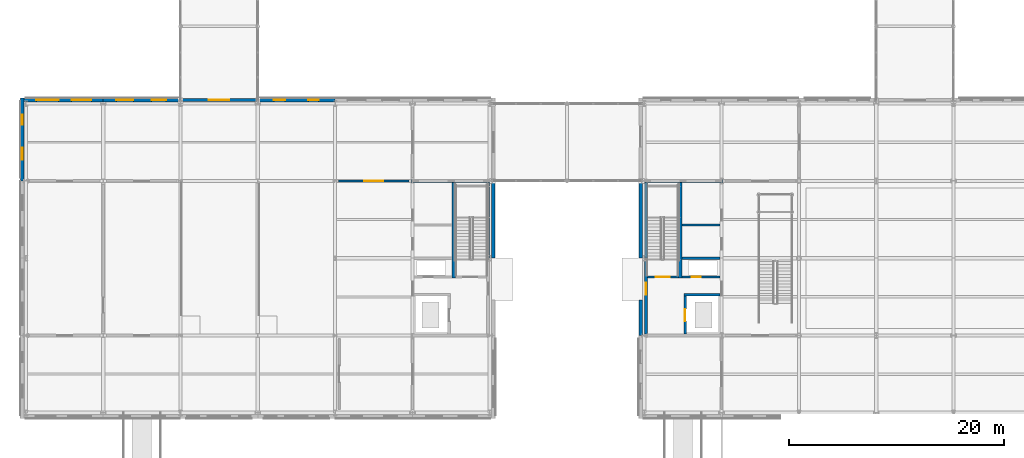
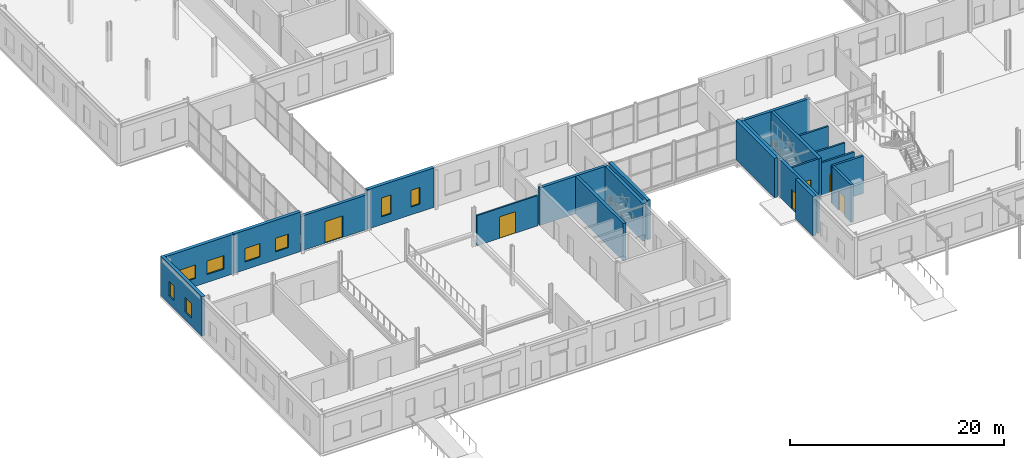
# One storey, part 55 of 92: 22 walls, 8 windows, 6 doors, 14 openings.
"""IFC4 building model written with IfcOpenShell, lengths in metres."""

from ifc_helpers import new_model, si_unit, direction, frame, frame_2d, origin, place, context, subcontext, project, spatial, rectangle, extrude, material, layer, layer_set, type_object, element, fill, save


model = new_model("IFC4")

# Units and contexts
model_context = context("Model", 3, precision=1e-05, world=origin(), true_north=direction((0.0, 1.0)))
body_context = subcontext(model_context, "Body", "Model", "MODEL_VIEW")
ifc_project = project(units=[si_unit("LENGTHUNIT", "METRE"), si_unit("AREAUNIT", "SQUARE_METRE"), si_unit("VOLUMEUNIT", "CUBIC_METRE"), si_unit("PLANEANGLEUNIT", "RADIAN"), si_unit("MASSUNIT", "GRAM", prefix="KILO")], contexts=[model_context])

# Site, building, storey
site_placement = place(None, origin())
site = spatial("IfcSite", under=ifc_project, at=site_placement, CompositionType="ELEMENT")
building_placement = place(site_placement, origin())
building = spatial("IfcBuilding", under=site, at=building_placement, Name="Zlatovets Crest Museum", CompositionType="ELEMENT")
storey_placement = place(building_placement, origin())
storey = spatial("IfcBuildingStorey", under=building, at=storey_placement, Name="L00", CompositionType="ELEMENT", Elevation=0.0)

# Wall
ifc_material_1 = material(Name="Concrete C35/45", Category="concrete")
ifc_layer_1 = layer(ifc_material_1, 0.300048828125)
ifc_layer_set_1 = layer_set([ifc_layer_1], Name="Concrete C35/45")
wall_type_1 = type_object("IfcWallType", Name="CoreWall_SW01", PredefinedType="SHEAR", material=ifc_layer_set_1)
wall_1_placement = place(storey_placement, frame((57.60009765625, 21.60009765625, 0.0), z_axis=(0.0, 0.0, 1.0), x_axis=(1.0, 0.0, 0.0)))
element("IfcWall", 1, at=wall_1_placement, inside=storey, type_object=wall_type_1, Name="Core C2 L00 North Shear Wall", PredefinedType="SHEAR", context=body_context, shape_type="SweptSolid", body=[
    extrude(rectangle(XDim=7.349853515625, YDim=0.300048828125, at=frame_2d((3.6748046875, 0.0))), origin(), (0.0, 0.0, 1.0), 4.280029296875),
])

# Wall, opening, door
wall_2_placement = place(storey_placement, frame((57.75, 7.35009765625, 0.0), z_axis=(0.0, 0.0, 1.0), x_axis=(0.0, 1.0, 0.0)))
wall_2 = element("IfcWall", 2, at=wall_2_placement, inside=storey, type_object=wall_type_1, Name="Core C2 L00 Protected Lobby Exterior Shear Wall", PredefinedType="SHEAR", context=body_context, shape_type="SweptSolid", body=[
    extrude(rectangle(XDim=7.0498046875, YDim=0.300048828125, at=frame_2d((3.52490234375, 0.0))), origin(), (0.0, 0.0, 1.0), 4.280029296875),
])
opening_1_placement = place(wall_2_placement, frame((3.64990234375, 0.0, 0.0)))
opening_1 = element("IfcOpeningElement", 3, at=opening_1_placement, cuts=wall_2, Name="Opening ED-03", PredefinedType="OPENING", context=body_context, shape_type="SweptSolid", body=[
    extrude(rectangle(XDim=1.10009765625, YDim=2.199951171875, at=frame_2d((0.550048828125, 1.10009765625))), frame((0.0, 0.16015625, 0.0), z_axis=(0.0, -1.0, 0.0), x_axis=(1.0, 0.0, 0.0)), (0.0, 0.0, 1.0), 0.320068359375),
])
ifc_material_2 = material(Name="Bronze-clad insulated steel door", Category="steel")
door_type_1 = type_object("IfcDoorType", Name="ExtDoor_ED-03", OperationType="NOTDEFINED", PredefinedType="DOOR", material=ifc_material_2)
door_1_placement = place(opening_1_placement, origin())
door_1 = element("IfcDoor", 4, at=door_1_placement, inside=storey, type_object=door_type_1, Name="ED-ST2-EXIT Stair ST2 Direct Final Exterior Exit Door", OperationType="SINGLE_SWING_LEFT", OverallHeight=2.199951171875, OverallWidth=1.10009765625, PredefinedType="DOOR", context=body_context, shape_type="SweptSolid", body=[
    extrude(rectangle(XDim=1.10009765625, YDim=2.199951171875, at=frame_2d((0.550048828125, 1.10009765625))), frame((0.0, 0.02490234375, 0.0), z_axis=(0.0, -1.0, 0.0), x_axis=(1.0, 0.0, 0.0)), (0.0, 0.0, 1.0), 0.050048828125),
])
fill(opening_1, door_1)

# Walls
wall_3_placement = place(storey_placement, frame((57.75, 14.39990234375, 0.0), z_axis=(0.0, 0.0, 1.0), x_axis=(0.0, 1.0, 0.0)))
element("IfcWall", 5, at=wall_3_placement, inside=storey, type_object=wall_type_1, Name="Core C2 L00 Stairwell Perimeter Shear Wall", PredefinedType="SHEAR", context=body_context, shape_type="SweptSolid", body=[
    extrude(rectangle(XDim=7.050048828125, YDim=0.300048828125, at=frame_2d((3.52490234375, 0.0))), origin(), (0.0, 0.0, 1.0), 4.280029296875),
])
wall_4_placement = place(storey_placement, frame((60.949951171875, 12.5400390625, 0.0), z_axis=(0.0, 0.0, 1.0), x_axis=(0.0, 1.0, 0.0)))
element("IfcWall", 6, at=wall_4_placement, inside=storey, type_object=wall_type_1, Name="Core C2 L00 Stair Divider Wall", PredefinedType="SHEAR", context=body_context, shape_type="SweptSolid", body=[
    extrude(rectangle(XDim=8.909912109375, YDim=0.300048828125, at=frame_2d((4.455078125, 0.0))), origin(), (0.0, 0.0, 1.0), 4.280029296875),
])
wall_5_placement = place(storey_placement, frame((35.85009765625, 21.60009765625, 0.0), z_axis=(0.0, 0.0, 1.0), x_axis=(1.0, 0.0, 0.0)))
element("IfcWall", 7, at=wall_5_placement, inside=storey, type_object=wall_type_1, Name="Core C3 L00 North Shear Wall", PredefinedType="SHEAR", context=body_context, shape_type="SweptSolid", body=[
    extrude(rectangle(XDim=7.349853515625, YDim=0.300048828125, at=frame_2d((3.6748046875, 0.0))), origin(), (0.0, 0.0, 1.0), 4.280029296875),
])
wall_6_placement = place(storey_placement, frame((43.050048828125, 14.39990234375, 0.0), z_axis=(0.0, 0.0, 1.0), x_axis=(0.0, 1.0, 0.0)))
element("IfcWall", 8, at=wall_6_placement, inside=storey, type_object=wall_type_1, Name="Core C3 L00 Stairwell Perimeter Shear Wall", PredefinedType="SHEAR", context=body_context, shape_type="SweptSolid", body=[
    extrude(rectangle(XDim=7.050048828125, YDim=0.300048828125, at=frame_2d((3.52490234375, 0.0))), origin(), (0.0, 0.0, 1.0), 4.280029296875),
])
wall_7_placement = place(storey_placement, frame((39.85009765625, 12.5400390625, 0.0), z_axis=(0.0, 0.0, 1.0), x_axis=(0.0, 1.0, 0.0)))
element("IfcWall", 9, at=wall_7_placement, inside=storey, type_object=wall_type_1, Name="Core C3 L00 Stair Divider Wall", PredefinedType="SHEAR", context=body_context, shape_type="SweptSolid", body=[
    extrude(rectangle(XDim=8.909912109375, YDim=0.300048828125, at=frame_2d((4.455078125, 0.0))), origin(), (0.0, 0.0, 1.0), 4.280029296875),
])

# Wall, opening, door
ifc_layer_2 = layer(ifc_material_1, 0.25)
ifc_layer_set_2 = layer_set([ifc_layer_2], Name="Concrete C35/45")
wall_type_2 = type_object("IfcWallType", Name="CoreWall_SW02", PredefinedType="SHEAR", material=ifc_layer_set_2)
wall_8_placement = place(storey_placement, frame((61.39990234375, 7.35009765625, 0.0), z_axis=(0.0, 0.0, 1.0), x_axis=(0.0, 1.0, 0.0)))
wall_8 = element("IfcWall", 10, at=wall_8_placement, inside=storey, type_object=wall_type_2, Name="Core C2 L00 Lift Shaft Wall", PredefinedType="SHEAR", context=body_context, shape_type="SweptSolid", body=[
    extrude(rectangle(XDim=3.52490234375, YDim=0.25, at=frame_2d((1.762451171875, 0.0))), origin(), (0.0, 0.0, 1.0), 4.280029296875),
])
opening_2_placement = place(wall_8_placement, frame((1.199951171875, 0.0, 0.0)))
opening_2 = element("IfcOpeningElement", 11, at=opening_2_placement, cuts=wall_8, Name="Opening LD-01", PredefinedType="OPENING", context=body_context, shape_type="SweptSolid", body=[
    extrude(rectangle(XDim=1.10009765625, YDim=2.14990234375, at=frame_2d((0.550048828125, 1.074951171875))), frame((0.0, 0.135009765625, 0.0), z_axis=(0.0, -1.0, 0.0), x_axis=(1.0, 0.0, 0.0)), (0.0, 0.0, 1.0), 0.27001953125),
])
ifc_material_3 = material(Name="Stainless-bronze sliding lift landing door")
door_type_2 = type_object("IfcDoorType", Name="IntDoor_LD-01", OperationType="SLIDING_TO_LEFT", PredefinedType="DOOR", material=ifc_material_3)
door_2_placement = place(opening_2_placement, origin())
door_2 = element("IfcDoor", 12, at=door_2_placement, inside=storey, type_object=door_type_2, Name="LDOOR-PL3-L00 Lift PL3 L00 Sliding Landing Door", OperationType="SLIDING_TO_LEFT", OverallHeight=2.14990234375, OverallWidth=1.10009765625, PredefinedType="DOOR", context=body_context, shape_type="SweptSolid", body=[
    extrude(rectangle(XDim=1.10009765625, YDim=2.14990234375, at=frame_2d((0.550048828125, 1.074951171875))), frame((0.0, 0.02490234375, 0.0), z_axis=(0.0, -1.0, 0.0), x_axis=(1.0, 0.0, 0.0)), (0.0, 0.0, 1.0), 0.050048828125),
])
fill(opening_2, door_2)

wall_9_placement = place(storey_placement, frame((57.89990234375, 12.64990234375, 0.0), z_axis=(0.0, 0.0, 1.0), x_axis=(1.0, 0.0, 0.0)))
wall_9 = element("IfcWall", 13, at=wall_9_placement, inside=storey, type_object=wall_type_2, Name="Core C2 L00 Stairwell Fire Wall", PredefinedType="SHEAR", context=body_context, shape_type="SweptSolid", body=[
    extrude(rectangle(XDim=2.900146484375, YDim=0.219970703125, at=frame_2d((1.4501953125, 0.0))), origin(), (0.0, 0.0, 1.0), 4.280029296875),
])
opening_3_placement = place(wall_9_placement, frame((0.75, 0.0, 0.0)))
opening_3 = element("IfcOpeningElement", 14, at=opening_3_placement, cuts=wall_9, Name="Opening FD-01", PredefinedType="OPENING", context=body_context, shape_type="SweptSolid", body=[
    extrude(rectangle(XDim=1.300048828125, YDim=2.199951171875, at=frame_2d((0.64990234375, 1.10009765625))), frame((0.0, 0.1201171875, 0.0), z_axis=(0.0, -1.0, 0.0), x_axis=(1.0, 0.0, 0.0)), (0.0, 0.0, 1.0), 0.239990234375),
])
ifc_material_4 = material(Name="Smoke-sealed steel fire door", Category="steel")
door_type_3 = type_object("IfcDoorType", Name="IntDoor_FD-01", OperationType="NOTDEFINED", PredefinedType="DOOR", material=ifc_material_4)
door_3_placement = place(opening_3_placement, origin())
door_3 = element("IfcDoor", 15, at=door_3_placement, inside=storey, type_object=door_type_3, Name="SDOOR-ST2-L00 Stair ST2 L00 Fire Door", OperationType="SINGLE_SWING_LEFT", OverallHeight=2.199951171875, OverallWidth=1.300048828125, PredefinedType="DOOR", context=body_context, shape_type="SweptSolid", body=[
    extrude(rectangle(XDim=1.300048828125, YDim=2.199951171875, at=frame_2d((0.64990234375, 1.10009765625))), frame((0.0, 0.02490234375, 0.0), z_axis=(0.0, -1.0, 0.0), x_axis=(1.0, 0.0, 0.0)), (0.0, 0.0, 1.0), 0.050048828125),
])
fill(opening_3, door_3)

# Walls
wall_10_placement = place(storey_placement, frame((61.27490234375, 11.0, 0.0), z_axis=(0.0, 0.0, 1.0), x_axis=(1.0, 0.0, 0.0)))
element("IfcWall", 16, at=wall_10_placement, inside=storey, type_object=wall_type_2, Name="Core C2 L00 Lift Shaft North Shear Wall", PredefinedType="SHEAR", context=body_context, shape_type="SweptSolid", body=[
    extrude(rectangle(XDim=3.375, YDim=0.25, at=frame_2d((1.6875, 0.0))), origin(), (0.0, 0.0, 1.0), 4.280029296875),
])
ifc_material_5 = material(Name="Vratsa limestone ashlar masonry and mineral wool", Category="masonry")
ifc_layer_3 = layer(ifc_material_5, 0.35009765625)
ifc_layer_set_3 = layer_set([ifc_layer_3], Name="Vratsa limestone ashlar masonry and mineral wool")
wall_type_3 = type_object("IfcWallType", Name="ExtWall_EW-01", PredefinedType="STANDARD", material=ifc_layer_set_3)
wall_11_placement = place(storey_placement, frame((57.260009765625, 21.60009765625, 0.0), z_axis=(0.0, 0.0, 1.0), x_axis=(0.0, -1.0, 0.0)))
element("IfcWall", 17, at=wall_11_placement, inside=storey, type_object=wall_type_3, Name="V2 L00 Vratsa Limestone Core Plinth", PredefinedType="STANDARD", context=body_context, shape_type="SweptSolid", body=[
    extrude(rectangle(XDim=7.2001953125, YDim=0.35009765625, at=frame_2d((3.60009765625, 0.0))), origin(), (0.0, 0.0, 1.0), 4.5),
])
wall_12_placement = place(storey_placement, frame((57.260009765625, 10.5, 0.0), z_axis=(0.0, 0.0, 1.0), x_axis=(0.0, -1.0, 0.0)))
element("IfcWall", 18, at=wall_12_placement, inside=storey, type_object=wall_type_3, Name="V2 L00 Vratsa Limestone Core Plinth", PredefinedType="STANDARD", context=body_context, shape_type="SweptSolid", body=[
    extrude(rectangle(XDim=3.300048828125, YDim=0.35009765625, at=frame_2d((1.64990234375, 0.0))), origin(), (0.0, 0.0, 1.0), 4.5),
])
wall_13_placement = place(storey_placement, frame((43.5400390625, 14.39990234375, 0.0), z_axis=(0.0, 0.0, 1.0), x_axis=(0.0, 1.0, 0.0)))
element("IfcWall", 19, at=wall_13_placement, inside=storey, type_object=wall_type_3, Name="V3 L00 Vratsa Limestone Core Plinth", PredefinedType="STANDARD", context=body_context, shape_type="SweptSolid", body=[
    extrude(rectangle(XDim=7.2001953125, YDim=0.35009765625, at=frame_2d((3.60009765625, 0.0))), origin(), (0.0, 0.0, 1.0), 4.5),
])

# Wall, openings, windows
wall_14_placement = place(storey_placement, frame((28.800048828125, 29.139892578125, 0.0), z_axis=(0.0, 0.0, 1.0), x_axis=(-1.0, 0.0, 0.0)))
wall_14 = element("IfcWall", 20, at=wall_14_placement, inside=storey, type_object=wall_type_3, Name="V3 L00 Vratsa Limestone Plinth Wall", PredefinedType="STANDARD", context=body_context, shape_type="SweptSolid", body=[
    extrude(rectangle(XDim=7.199951171875, YDim=0.35009765625, at=frame_2d((3.60009765625, 0.0))), origin(), (0.0, 0.0, 1.0), 4.5),
])
opening_4_placement = place(wall_14_placement, frame((1.541015625, 0.0, 0.89990234375)))
opening_4 = element("IfcOpeningElement", 21, at=opening_4_placement, cuts=wall_14, Name="Opening WN-11", PredefinedType="OPENING", context=body_context, shape_type="SweptSolid", body=[
    extrude(rectangle(XDim=0.949951171875, YDim=1.89990234375, at=frame_2d((0.47509765625, 0.949951171875))), frame((0.0, 0.18505859375, 0.0), z_axis=(0.0, -1.0, 0.0), x_axis=(1.0, 0.0, 0.0)), (0.0, 0.0, 1.0), 0.3701171875),
])
opening_5_placement = place(wall_14_placement, frame((4.658935546875, 0.0, 0.89990234375)))
opening_5 = element("IfcOpeningElement", 22, at=opening_5_placement, cuts=wall_14, Name="Opening WN-12", PredefinedType="OPENING", context=body_context, shape_type="SweptSolid", body=[
    extrude(rectangle(XDim=1.050048828125, YDim=2.14990234375, at=frame_2d((0.52490234375, 1.074951171875))), frame((0.0, 0.18505859375, 0.0), z_axis=(0.0, -1.0, 0.0), x_axis=(1.0, 0.0, 0.0)), (0.0, 0.0, 1.0), 0.3701171875),
])
ifc_material_6 = material(Name="Bronze-anodised aluminium frame with low-E triple glass", Category="aluminium")
window_type_1 = type_object("IfcWindowType", Name="Win_WN-11", PartitioningType="SINGLE_PANEL", PredefinedType="WINDOW", material=ifc_material_6)
window_1_placement = place(opening_4_placement, origin())
window_1 = element("IfcWindow", 23, at=window_1_placement, inside=storey, type_object=window_type_1, Name="V3 L00 Secession Plinth Window WN-11", OverallHeight=1.89990234375, OverallWidth=0.949951171875, PartitioningType="SINGLE_PANEL", PredefinedType="WINDOW", context=body_context, shape_type="SweptSolid", body=[
    extrude(rectangle(XDim=0.949951171875, YDim=1.89990234375, at=frame_2d((0.47509765625, 0.949951171875))), frame((0.0, 0.030029296875, 0.0), z_axis=(0.0, -1.0, 0.0), x_axis=(1.0, 0.0, 0.0)), (0.0, 0.0, 1.0), 0.06005859375),
])
fill(opening_4, window_1)
window_type_2 = type_object("IfcWindowType", Name="Win_WN-12", PartitioningType="SINGLE_PANEL", PredefinedType="WINDOW", material=ifc_material_6)
window_2_placement = place(opening_5_placement, origin())
window_2 = element("IfcWindow", 24, at=window_2_placement, inside=storey, type_object=window_type_2, Name="V3 L00 Secession Plinth Window WN-12", OverallHeight=2.14990234375, OverallWidth=1.050048828125, PartitioningType="SINGLE_PANEL", PredefinedType="WINDOW", context=body_context, shape_type="SweptSolid", body=[
    extrude(rectangle(XDim=1.050048828125, YDim=2.14990234375, at=frame_2d((0.52490234375, 1.074951171875))), frame((0.0, 0.030029296875, 0.0), z_axis=(0.0, -1.0, 0.0), x_axis=(1.0, 0.0, 0.0)), (0.0, 0.0, 1.0), 0.06005859375),
])
fill(opening_5, window_2)

wall_15_placement = place(storey_placement, frame((14.39990234375, 29.139892578125, 0.0), z_axis=(0.0, 0.0, 1.0), x_axis=(-1.0, 0.0, 0.0)))
wall_15 = element("IfcWall", 25, at=wall_15_placement, inside=storey, type_object=wall_type_3, Name="V3 L00 Vratsa Limestone Plinth Wall", PredefinedType="STANDARD", context=body_context, shape_type="SweptSolid", body=[
    extrude(rectangle(XDim=7.199951171875, YDim=0.35009765625, at=frame_2d((3.60009765625, 0.0))), origin(), (0.0, 0.0, 1.0), 4.5),
])
opening_6_placement = place(wall_15_placement, frame((1.3359375, 0.0, 0.89990234375)))
opening_6 = element("IfcOpeningElement", 26, at=opening_6_placement, cuts=wall_15, Name="Opening WN-18", PredefinedType="OPENING", context=body_context, shape_type="SweptSolid", body=[
    extrude(rectangle(XDim=1.360107421875, YDim=1.5400390625, at=frame_2d((0.68017578125, 0.77001953125))), frame((0.0, 0.18505859375, 0.0), z_axis=(0.0, -1.0, 0.0), x_axis=(1.0, 0.0, 0.0)), (0.0, 0.0, 1.0), 0.3701171875),
])
opening_7_placement = place(wall_15_placement, frame((4.384033203125, 0.0, 0.89990234375)))
opening_7 = element("IfcOpeningElement", 27, at=opening_7_placement, cuts=wall_15, Name="Opening WN-19", PredefinedType="OPENING", context=body_context, shape_type="SweptSolid", body=[
    extrude(rectangle(XDim=1.60009765625, YDim=1.5400390625, at=frame_2d((0.800048828125, 0.77001953125))), frame((0.0, 0.18505859375, 0.0), z_axis=(0.0, -1.0, 0.0), x_axis=(1.0, 0.0, 0.0)), (0.0, 0.0, 1.0), 0.3701171875),
])
window_type_3 = type_object("IfcWindowType", Name="Win_WN-18", PartitioningType="SINGLE_PANEL", PredefinedType="WINDOW", material=ifc_material_6)
window_3_placement = place(opening_6_placement, origin())
window_3 = element("IfcWindow", 28, at=window_3_placement, inside=storey, type_object=window_type_3, Name="V3 L00 Secession Plinth Window WN-18", OverallHeight=1.5400390625, OverallWidth=1.360107421875, PartitioningType="SINGLE_PANEL", PredefinedType="WINDOW", context=body_context, shape_type="SweptSolid", body=[
    extrude(rectangle(XDim=1.360107421875, YDim=1.5400390625, at=frame_2d((0.68017578125, 0.77001953125))), frame((0.0, 0.030029296875, 0.0), z_axis=(0.0, -1.0, 0.0), x_axis=(1.0, 0.0, 0.0)), (0.0, 0.0, 1.0), 0.06005859375),
])
fill(opening_6, window_3)
window_type_4 = type_object("IfcWindowType", Name="Win_WN-19", PartitioningType="SINGLE_PANEL", PredefinedType="WINDOW", material=ifc_material_6)
window_4_placement = place(opening_7_placement, origin())
window_4 = element("IfcWindow", 29, at=window_4_placement, inside=storey, type_object=window_type_4, Name="V3 L00 Secession Plinth Window WN-19", OverallHeight=1.5400390625, OverallWidth=1.60009765625, PartitioningType="SINGLE_PANEL", PredefinedType="WINDOW", context=body_context, shape_type="SweptSolid", body=[
    extrude(rectangle(XDim=1.60009765625, YDim=1.5400390625, at=frame_2d((0.800048828125, 0.77001953125))), frame((0.0, 0.030029296875, 0.0), z_axis=(0.0, -1.0, 0.0), x_axis=(1.0, 0.0, 0.0)), (0.0, 0.0, 1.0), 0.06005859375),
])
fill(opening_7, window_4)

wall_16_placement = place(storey_placement, frame((7.199951171875, 29.139892578125, 0.0), z_axis=(0.0, 0.0, 1.0), x_axis=(-1.0, 0.0, 0.0)))
wall_16 = element("IfcWall", 30, at=wall_16_placement, inside=storey, type_object=wall_type_3, Name="V3 L00 Vratsa Limestone Plinth Wall", PredefinedType="STANDARD", context=body_context, shape_type="SweptSolid", body=[
    extrude(rectangle(XDim=7.364990234375, YDim=0.35009765625, at=frame_2d((3.6826171875, 0.0))), origin(), (0.0, 0.0, 1.0), 4.5),
])
opening_8_placement = place(wall_16_placement, frame((1.095947265625, 0.0, 0.89990234375)))
opening_8 = element("IfcOpeningElement", 31, at=opening_8_placement, cuts=wall_16, Name="Opening WN-20", PredefinedType="OPENING", context=body_context, shape_type="SweptSolid", body=[
    extrude(rectangle(XDim=1.840087890625, YDim=1.5400390625, at=frame_2d((0.919921875, 0.77001953125))), frame((0.0, 0.18505859375, 0.0), z_axis=(0.0, -1.0, 0.0), x_axis=(1.0, 0.0, 0.0)), (0.0, 0.0, 1.0), 0.3701171875),
])
opening_9_placement = place(wall_16_placement, frame((4.14404296875, 0.0, 0.89990234375)))
opening_9 = element("IfcOpeningElement", 32, at=opening_9_placement, cuts=wall_16, Name="Opening WN-21", PredefinedType="OPENING", context=body_context, shape_type="SweptSolid", body=[
    extrude(rectangle(XDim=2.080078125, YDim=1.5400390625, at=frame_2d((1.0400390625, 0.77001953125))), frame((0.0, 0.18505859375, 0.0), z_axis=(0.0, -1.0, 0.0), x_axis=(1.0, 0.0, 0.0)), (0.0, 0.0, 1.0), 0.3701171875),
])
window_type_5 = type_object("IfcWindowType", Name="Win_WN-20", PartitioningType="SINGLE_PANEL", PredefinedType="WINDOW", material=ifc_material_6)
window_5_placement = place(opening_8_placement, origin())
window_5 = element("IfcWindow", 33, at=window_5_placement, inside=storey, type_object=window_type_5, Name="V3 L00 Secession Plinth Window WN-20", OverallHeight=1.5400390625, OverallWidth=1.840087890625, PartitioningType="SINGLE_PANEL", PredefinedType="WINDOW", context=body_context, shape_type="SweptSolid", body=[
    extrude(rectangle(XDim=1.840087890625, YDim=1.5400390625, at=frame_2d((0.919921875, 0.77001953125))), frame((0.0, 0.030029296875, 0.0), z_axis=(0.0, -1.0, 0.0), x_axis=(1.0, 0.0, 0.0)), (0.0, 0.0, 1.0), 0.06005859375),
])
fill(opening_8, window_5)
window_type_6 = type_object("IfcWindowType", Name="Win_WN-21", PartitioningType="SINGLE_PANEL", PredefinedType="WINDOW", material=ifc_material_6)
window_6_placement = place(opening_9_placement, origin())
window_6 = element("IfcWindow", 34, at=window_6_placement, inside=storey, type_object=window_type_6, Name="V3 L00 Secession Plinth Window WN-21", OverallHeight=1.5400390625, OverallWidth=2.080078125, PartitioningType="SINGLE_PANEL", PredefinedType="WINDOW", context=body_context, shape_type="SweptSolid", body=[
    extrude(rectangle(XDim=2.080078125, YDim=1.5400390625, at=frame_2d((1.0400390625, 0.77001953125))), frame((0.0, 0.030029296875, 0.0), z_axis=(0.0, -1.0, 0.0), x_axis=(1.0, 0.0, 0.0)), (0.0, 0.0, 1.0), 0.06005859375),
])
fill(opening_9, window_6)

wall_17_placement = place(storey_placement, frame((-0.340087890625, 29.31494140625, 0.0), z_axis=(0.0, 0.0, 1.0), x_axis=(0.0, -1.0, 0.0)))
wall_17 = element("IfcWall", 35, at=wall_17_placement, inside=storey, type_object=wall_type_3, Name="V3 L00 Vratsa Limestone Plinth Wall", PredefinedType="STANDARD", context=body_context, shape_type="SweptSolid", body=[
    extrude(rectangle(XDim=7.71484375, YDim=0.35009765625, at=frame_2d((3.857421875, 0.0))), origin(), (0.0, 0.0, 1.0), 4.5),
])
opening_10_placement = place(wall_17_placement, frame((1.56103515625, 0.0, 0.89990234375)))
opening_10 = element("IfcOpeningElement", 36, at=opening_10_placement, cuts=wall_17, Name="Opening WN-22", PredefinedType="OPENING", context=body_context, shape_type="SweptSolid", body=[
    extrude(rectangle(XDim=0.909912109375, YDim=1.679931640625, at=frame_2d((0.455078125, 0.83984375))), frame((0.0, 0.18505859375, 0.0), z_axis=(0.0, -1.0, 0.0), x_axis=(1.0, 0.0, 0.0)), (0.0, 0.0, 1.0), 0.3701171875),
])
opening_11_placement = place(wall_17_placement, frame((4.60888671875, 0.0, 0.89990234375)))
opening_11 = element("IfcOpeningElement", 37, at=opening_11_placement, cuts=wall_17, Name="Opening WN-23", PredefinedType="OPENING", context=body_context, shape_type="SweptSolid", body=[
    extrude(rectangle(XDim=1.14990234375, YDim=1.679931640625, at=frame_2d((0.574951171875, 0.83984375))), frame((0.0, 0.18505859375, 0.0), z_axis=(0.0, -1.0, 0.0), x_axis=(1.0, 0.0, 0.0)), (0.0, 0.0, 1.0), 0.3701171875),
])
window_type_7 = type_object("IfcWindowType", Name="Win_WN-22", PartitioningType="SINGLE_PANEL", PredefinedType="WINDOW", material=ifc_material_6)
window_7_placement = place(opening_10_placement, origin())
window_7 = element("IfcWindow", 38, at=window_7_placement, inside=storey, type_object=window_type_7, Name="V3 L00 Secession Plinth Window WN-22", OverallHeight=1.679931640625, OverallWidth=0.909912109375, PartitioningType="SINGLE_PANEL", PredefinedType="WINDOW", context=body_context, shape_type="SweptSolid", body=[
    extrude(rectangle(XDim=0.909912109375, YDim=1.679931640625, at=frame_2d((0.455078125, 0.83984375))), frame((0.0, 0.030029296875, 0.0), z_axis=(0.0, -1.0, 0.0), x_axis=(1.0, 0.0, 0.0)), (0.0, 0.0, 1.0), 0.06005859375),
])
fill(opening_10, window_7)
window_type_8 = type_object("IfcWindowType", Name="Win_WN-23", PartitioningType="SINGLE_PANEL", PredefinedType="WINDOW", material=ifc_material_6)
window_8_placement = place(opening_11_placement, origin())
window_8 = element("IfcWindow", 39, at=window_8_placement, inside=storey, type_object=window_type_8, Name="V3 L00 Secession Plinth Window WN-23", OverallHeight=1.679931640625, OverallWidth=1.14990234375, PartitioningType="SINGLE_PANEL", PredefinedType="WINDOW", context=body_context, shape_type="SweptSolid", body=[
    extrude(rectangle(XDim=1.14990234375, YDim=1.679931640625, at=frame_2d((0.574951171875, 0.83984375))), frame((0.0, 0.030029296875, 0.0), z_axis=(0.0, -1.0, 0.0), x_axis=(1.0, 0.0, 0.0)), (0.0, 0.0, 1.0), 0.06005859375),
])
fill(opening_11, window_8)

# Wall, opening, door
ifc_material_7 = material(Name="Insulated gallery conservation liner wall", Category="concrete")
ifc_layer_4 = layer(ifc_material_7, 0.300048828125)
ifc_layer_set_4 = layer_set([ifc_layer_4], Name="Insulated gallery conservation liner wall")
wall_type_4 = type_object("IfcWallType", Name="ExtWall_EW-02", PredefinedType="STANDARD", material=ifc_layer_set_4)
wall_18_placement = place(storey_placement, frame((21.60009765625, 29.139892578125, 0.0), z_axis=(0.0, 0.0, 1.0), x_axis=(-1.0, 0.0, 0.0)))
wall_18 = element("IfcWall", 40, at=wall_18_placement, inside=storey, type_object=wall_type_4, Name="V3 L00 Bridge Portal Wall", PredefinedType="STANDARD", context=body_context, shape_type="SweptSolid", body=[
    extrude(rectangle(XDim=7.2001953125, YDim=0.300048828125, at=frame_2d((3.60009765625, 0.0))), origin(), (0.0, 0.0, 1.0), 3.949951171875),
])
opening_12_placement = place(wall_18_placement, frame((2.64990234375, 0.0, 0.0)))
opening_12 = element("IfcOpeningElement", 41, at=opening_12_placement, cuts=wall_18, Name="Opening ED-02", PredefinedType="OPENING", context=body_context, shape_type="SweptSolid", body=[
    extrude(rectangle(XDim=1.89990234375, YDim=2.449951171875, at=frame_2d((0.949951171875, 1.22509765625))), frame((0.0, 0.16015625, 0.0), z_axis=(0.0, -1.0, 0.0), x_axis=(1.0, 0.0, 0.0)), (0.0, 0.0, 1.0), 0.320068359375),
])
door_type_4 = type_object("IfcDoorType", Name="ExtDoor_ED-02", OperationType="NOTDEFINED", PredefinedType="DOOR", material=ifc_material_2)
door_4_placement = place(opening_12_placement, origin())
door_4 = element("IfcDoor", 42, at=door_4_placement, inside=storey, type_object=door_type_4, Name="ED-V3-L00-BR028 V3 L00 Bridge Link Portal Door", OperationType="DOUBLE_DOOR_SINGLE_SWING", OverallHeight=2.449951171875, OverallWidth=1.89990234375, PredefinedType="DOOR", context=body_context, shape_type="SweptSolid", body=[
    extrude(rectangle(XDim=1.89990234375, YDim=2.449951171875, at=frame_2d((0.949951171875, 1.22509765625))), frame((0.0, 0.02490234375, 0.0), z_axis=(0.0, -1.0, 0.0), x_axis=(1.0, 0.0, 0.0)), (0.0, 0.0, 1.0), 0.050048828125),
])
fill(opening_12, door_4)

ifc_material_8 = material(Name="Acoustic museum gallery stud partition")
ifc_layer_5 = layer(ifc_material_8, 0.159912109375)
ifc_layer_set_5 = layer_set([ifc_layer_5], Name="Acoustic museum gallery stud partition")
wall_type_5 = type_object("IfcWallType", Name="PartWall_PT-02", PredefinedType="PARTITIONING", material=ifc_layer_set_5)
wall_19_placement = place(storey_placement, frame((29.1201171875, 21.60009765625, 0.0), z_axis=(0.0, 0.0, 1.0), x_axis=(1.0, 0.0, 0.0)))
wall_19 = element("IfcWall", 43, at=wall_19_placement, inside=storey, type_object=wall_type_5, Name="V3 L00 Interior Partition PT-02", PredefinedType="PARTITIONING", context=body_context, shape_type="SweptSolid", body=[
    extrude(rectangle(XDim=6.559814453125, YDim=0.159912109375, at=frame_2d((3.27978515625, 0.0))), origin(), (0.0, 0.0, 1.0), 3.449951171875),
])
opening_13_placement = place(wall_19_placement, frame((2.405029296875, 0.0, 0.0)))
opening_13 = element("IfcOpeningElement", 44, at=opening_13_placement, cuts=wall_19, Name="Opening ID-14", PredefinedType="OPENING", context=body_context, shape_type="SweptSolid", body=[
    extrude(rectangle(XDim=1.75, YDim=2.449951171875, at=frame_2d((0.875, 1.22509765625))), frame((0.0, 0.08984375, 0.0), z_axis=(0.0, -1.0, 0.0), x_axis=(1.0, 0.0, 0.0)), (0.0, 0.0, 1.0), 0.179931640625),
])
ifc_material_9 = material(Name="Applied arts salon double door")
door_type_5 = type_object("IfcDoorType", Name="IntDoor_ID-14", OperationType="DOUBLE_DOOR_SINGLE_SWING", PredefinedType="DOOR", material=ifc_material_9)
door_5_placement = place(opening_13_placement, origin())
door_5 = element("IfcDoor", 45, at=door_5_placement, inside=storey, type_object=door_type_5, Name="IDOOR-V3-L00-0070 Forecourt Museum Cafe to Community Heritage Room Door", OperationType="DOUBLE_DOOR_SINGLE_SWING", OverallHeight=2.449951171875, OverallWidth=1.75, PredefinedType="DOOR", context=body_context, shape_type="SweptSolid", body=[
    extrude(rectangle(XDim=1.75, YDim=2.449951171875, at=frame_2d((0.875, 1.22509765625))), frame((0.0, 0.02490234375, 0.0), z_axis=(0.0, -1.0, 0.0), x_axis=(1.0, 0.0, 0.0)), (0.0, 0.0, 1.0), 0.050048828125),
])
fill(opening_13, door_5)

ifc_material_10 = material(Name="Sanitary core acoustic service wall")
ifc_layer_6 = layer(ifc_material_10, 0.219970703125)
ifc_layer_set_6 = layer_set([ifc_layer_6], Name="Sanitary core acoustic service wall")
wall_type_6 = type_object("IfcWallType", Name="PartWall_PT-04", PredefinedType="PLUMBINGWALL", material=ifc_layer_set_6)
wall_20_placement = place(storey_placement, frame((61.10009765625, 12.64990234375, 0.0), z_axis=(0.0, 0.0, 1.0), x_axis=(1.0, 0.0, 0.0)))
wall_20 = element("IfcWall", 46, at=wall_20_placement, inside=storey, type_object=wall_type_6, Name="Core C2 L00 Riser Lobby Wall", PredefinedType="PLUMBINGWALL", context=body_context, shape_type="SweptSolid", body=[
    extrude(rectangle(XDim=3.5498046875, YDim=0.199951171875, at=frame_2d((1.77490234375, 0.0))), origin(), (0.0, 0.0, 1.0), 3.699951171875),
])
opening_14_placement = place(wall_20_placement, frame((0.89990234375, 0.0, 0.0)))
opening_14 = element("IfcOpeningElement", 47, at=opening_14_placement, cuts=wall_20, Name="Opening FD-03", PredefinedType="OPENING", context=body_context, shape_type="SweptSolid", body=[
    extrude(rectangle(XDim=0.85009765625, YDim=2.050048828125, at=frame_2d((0.425048828125, 1.02490234375))), frame((0.0, 0.10986328125, 0.0), z_axis=(0.0, -1.0, 0.0), x_axis=(1.0, 0.0, 0.0)), (0.0, 0.0, 1.0), 0.219970703125),
])
ifc_material_11 = material(Name="Steel riser shaft access fire door", Category="steel")
door_type_6 = type_object("IfcDoorType", Name="IntDoor_FD-03", OperationType="NOTDEFINED", PredefinedType="TRAPDOOR", material=ifc_material_11)
door_6_placement = place(opening_14_placement, origin())
door_6 = element("IfcDoor", 48, at=door_6_placement, inside=storey, type_object=door_type_6, Name="CDOOR-C2-L00-RIS Core C2 L00 Riser Access Door", OperationType="SINGLE_SWING_RIGHT", OverallHeight=2.050048828125, OverallWidth=0.85009765625, PredefinedType="TRAPDOOR", context=body_context, shape_type="SweptSolid", body=[
    extrude(rectangle(XDim=0.85009765625, YDim=2.050048828125, at=frame_2d((0.425048828125, 1.02490234375))), frame((0.0, 0.02490234375, 0.0), z_axis=(0.0, -1.0, 0.0), x_axis=(1.0, 0.0, 0.0)), (0.0, 0.0, 1.0), 0.050048828125),
])
fill(opening_14, door_6)

# Walls
for number, where, z_axis, x_axis, name in (
    (49, (61.10009765625, 14.39990234375, 0.0), (0.0, 0.0, 1.0), (1.0, 0.0, 0.0), "Core C2 L00 Sanitary Divider"),
    (50, (61.10009765625, 17.5, 0.0), (0.0, 0.0, 1.0), (1.0, 0.0, 0.0), "Core C2 L00 Sanitary Divider"),
):
    element("IfcWall", number, at=place(storey_placement, frame(where, z_axis=z_axis, x_axis=x_axis)), inside=storey, type_object=wall_type_6, Name=name, PredefinedType="PLUMBINGWALL", context=body_context, shape_type="SweptSolid", body=[
        extrude(rectangle(XDim=3.5498046875, YDim=0.199951171875, at=frame_2d((1.77490234375, 0.0))), origin(), (0.0, 0.0, 1.0), 3.699951171875),
    ])

save(model, "model.ifc")
